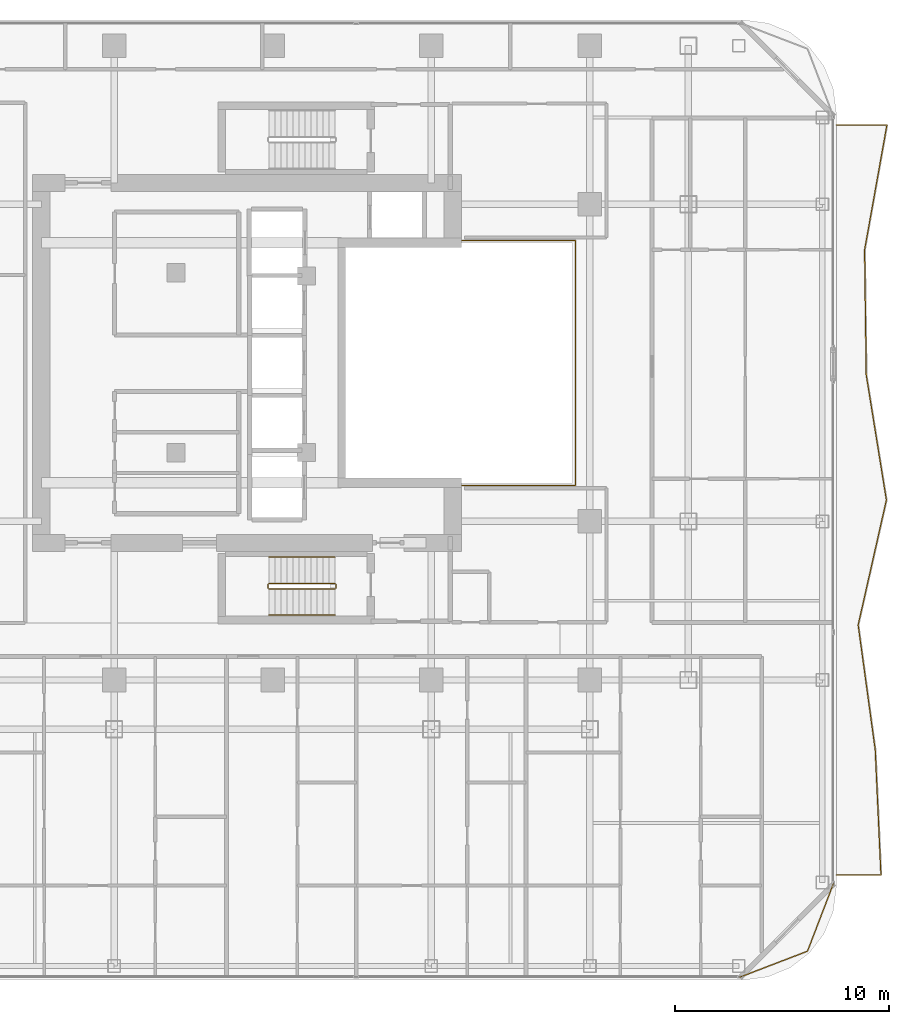
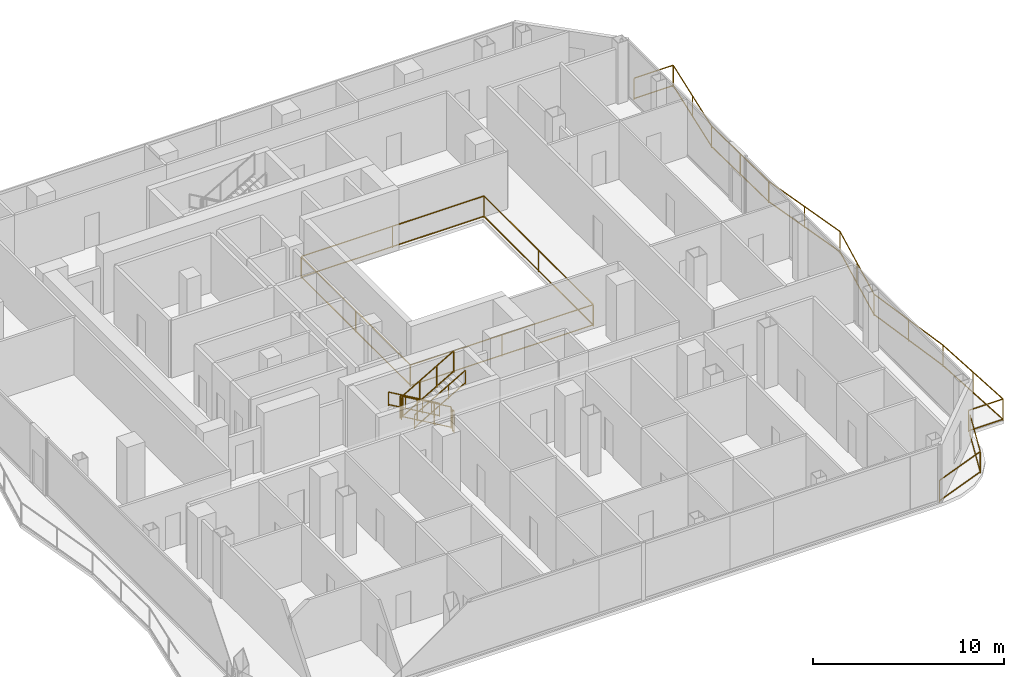
# One storey, part 25 of 26: 9 railings.
"""IFC4 building model written with IfcOpenShell, lengths in metres."""

from ifc_helpers import new_model, si_unit, direction, frame, origin, origin_2d, place, context, subcontext, project, spatial, rectangle, extrude, material, type_object, element, save


model = new_model("IFC4")

# Units and contexts
model_context = context("Model", 3, precision=1e-05, world=origin(), true_north=direction((0.0, 1.0)))
body_context = subcontext(model_context, "Body", "Model", "MODEL_VIEW")
ifc_project = project(units=[si_unit("LENGTHUNIT", "METRE"), si_unit("AREAUNIT", "SQUARE_METRE"), si_unit("VOLUMEUNIT", "CUBIC_METRE"), si_unit("PLANEANGLEUNIT", "RADIAN"), si_unit("MASSUNIT", "GRAM", prefix="KILO")], contexts=[model_context])

# Site, building, storey
site_placement = place(None, origin())
site = spatial("IfcSite", under=ifc_project, at=site_placement, CompositionType="ELEMENT")
building_placement = place(site_placement, origin())
building = spatial("IfcBuilding", under=site, at=building_placement, Name="Khorvyn Point Tower", CompositionType="ELEMENT")
storey_placement = place(building_placement, frame((0.0, 0.0, 223.5)))
storey = spatial("IfcBuildingStorey", under=building, at=storey_placement, Name="L55", CompositionType="ELEMENT", Elevation=223.5)

# Railings
ifc_material_1 = material(Name="Stainless steel 1.4401 and laminated glass", Category="steel")
railing_type_1 = type_object("IfcRailingType", Name="Crystal Atrium Smoke-Rated Perimeter Guardrail 1400", PredefinedType="GUARDRAIL", material=ifc_material_1)
railing_1_placement = place(storey_placement, frame((3.080078125, -5.719970703125, 0.0)))
element("IfcRailing", 1, at=railing_1_placement, inside=storey, type_object=railing_type_1, Name="L55 Crystal Atrium Perimeter Guardrail", PredefinedType="GUARDRAIL", context=body_context, shape_type="SweptSolid", body=[
    extrude(rectangle(XDim=0.048095703125, YDim=0.048095703125, at=origin_2d()), frame((0.0, 0.0, 1.3759765625), z_axis=(1.0, 0.0, 0.0), x_axis=(0.0, 1.0, 0.0)), (0.0, 0.0, 1.0), 11.0400390625),
    extrude(rectangle(XDim=0.048095703125, YDim=0.048095703125, at=origin_2d()), frame((0.0, 0.0, 0.080078125), z_axis=(1.0, 0.0, 0.0), x_axis=(0.0, 1.0, 0.0)), (0.0, 0.0, 1.0), 11.0400390625),
    extrude(rectangle(XDim=0.048095703125, YDim=0.048095703125, at=origin_2d()), frame((11.0400390625, 0.0, 1.3759765625), z_axis=(0.0, 1.0, 0.0), x_axis=(-1.0, 0.0, 0.0)), (0.0, 0.0, 1.0), 11.43994140625),
    extrude(rectangle(XDim=0.048095703125, YDim=0.048095703125, at=origin_2d()), frame((11.0400390625, 0.0, 0.080078125), z_axis=(0.0, 1.0, 0.0), x_axis=(-1.0, 0.0, 0.0)), (0.0, 0.0, 1.0), 11.43994140625),
    extrude(rectangle(XDim=0.048095703125, YDim=0.048095703125, at=origin_2d()), frame((11.0400390625, 11.43994140625, 1.3759765625), z_axis=(-1.0, 0.0, 0.0), x_axis=(0.0, -1.0, 0.0)), (0.0, 0.0, 1.0), 11.0400390625),
    extrude(rectangle(XDim=0.048095703125, YDim=0.048095703125, at=origin_2d()), frame((11.0400390625, 11.43994140625, 0.080078125), z_axis=(-1.0, 0.0, 0.0), x_axis=(0.0, -1.0, 0.0)), (0.0, 0.0, 1.0), 11.0400390625),
    extrude(rectangle(XDim=0.048095703125, YDim=0.048095703125, at=origin_2d()), frame((0.0, 11.43994140625, 1.3759765625), z_axis=(0.0, -1.0, 0.0), x_axis=(1.0, 0.0, 0.0)), (0.0, 0.0, 1.0), 11.409912109375),
    extrude(rectangle(XDim=0.048095703125, YDim=0.048095703125, at=origin_2d()), frame((0.0, 11.43994140625, 0.080078125), z_axis=(0.0, -1.0, 0.0), x_axis=(1.0, 0.0, 0.0)), (0.0, 0.0, 1.0), 11.409912109375),
    extrude(rectangle(XDim=0.0419921875, YDim=0.0419921875, at=origin_2d()), origin(), (0.0, 0.0, 1.0), 1.351806640625),
    extrude(rectangle(XDim=0.0419921875, YDim=0.0419921875, at=origin_2d()), frame((5.52001953125, 0.0, 0.0)), (0.0, 0.0, 1.0), 1.351806640625),
    extrude(rectangle(XDim=0.0419921875, YDim=0.0419921875, at=origin_2d()), frame((11.0400390625, 0.0, 0.0)), (0.0, 0.0, 1.0), 1.351806640625),
    extrude(rectangle(XDim=0.0419921875, YDim=0.0419921875, at=origin_2d()), frame((11.0400390625, 5.719970703125, 0.0)), (0.0, 0.0, 1.0), 1.351806640625),
    extrude(rectangle(XDim=0.0419921875, YDim=0.0419921875, at=origin_2d()), frame((11.0400390625, 11.43994140625, 0.0)), (0.0, 0.0, 1.0), 1.351806640625),
    extrude(rectangle(XDim=0.0419921875, YDim=0.0419921875, at=origin_2d()), frame((5.52001953125, 11.43994140625, 0.0)), (0.0, 0.0, 1.0), 1.351806640625),
    extrude(rectangle(XDim=0.0419921875, YDim=0.0419921875, at=origin_2d()), frame((0.0, 11.43994140625, 0.0)), (0.0, 0.0, 1.0), 1.351806640625),
    extrude(rectangle(XDim=0.0419921875, YDim=0.0419921875, at=origin_2d()), frame((0.0, 5.73486328125, 0.0)), (0.0, 0.0, 1.0), 1.351806640625),
    extrude(rectangle(XDim=0.0419921875, YDim=0.0419921875, at=origin_2d()), frame((0.0, 0.030029296875, 0.0)), (0.0, 0.0, 1.0), 1.351806640625),
])
ifc_material_2 = material(Name="Anodised aluminium 6063-T6 and laminated safety glass", Category="aluminium")
railing_type_2 = type_object("IfcRailingType", Name="Laminated Glass and Aluminium Balcony Guardrail 1400", PredefinedType="BALUSTRADE", material=ifc_material_2)
railing_2_placement = place(storey_placement, frame((21.78125, -28.67431640625, 0.0)))
element("IfcRailing", 2, at=railing_2_placement, inside=storey, type_object=railing_type_2, Name="L55 Rounded Corner Edge Guardrail SE", PredefinedType="BALUSTRADE", context=body_context, shape_type="SweptSolid", body=[
    extrude(rectangle(XDim=0.048095703125, YDim=0.048095703125, at=origin_2d()), frame((0.0, 0.0, 1.3759765625), z_axis=(0.933589651443, 0.358343916815, 0.0), x_axis=(-0.358343916815, 0.933589651443, 0.0)), (0.0, 0.0, 1.0), 3.400390625),
    extrude(rectangle(XDim=0.048095703125, YDim=0.048095703125, at=origin_2d()), frame((0.0, 0.0, 0.080078125), z_axis=(0.933589651443, 0.358343916815, 0.0), x_axis=(-0.358343916815, 0.933589651443, 0.0)), (0.0, 0.0, 1.0), 3.400390625),
    extrude(rectangle(XDim=0.048095703125, YDim=0.048095703125, at=origin_2d()), frame((3.174560546875, 1.218505859375, 1.3759765625), z_axis=(0.358343916815, 0.933589651443, 0.0), x_axis=(-0.933589651443, 0.358343916815, 0.0)), (0.0, 0.0, 1.0), 3.400390625),
    extrude(rectangle(XDim=0.048095703125, YDim=0.048095703125, at=origin_2d()), frame((3.174560546875, 1.218505859375, 0.080078125), z_axis=(0.358343916815, 0.933589651443, 0.0), x_axis=(-0.933589651443, 0.358343916815, 0.0)), (0.0, 0.0, 1.0), 3.400390625),
    extrude(rectangle(XDim=0.0419921875, YDim=0.0419921875, at=origin_2d()), origin(), (0.0, 0.0, 1.0), 1.351806640625),
    extrude(rectangle(XDim=0.0419921875, YDim=0.0419921875, at=origin_2d()), frame((3.174560546875, 1.218505859375, 0.0)), (0.0, 0.0, 1.0), 1.351806640625),
    extrude(rectangle(XDim=0.0419921875, YDim=0.0419921875, at=origin_2d()), frame((4.39306640625, 4.39306640625, 0.0)), (0.0, 0.0, 1.0), 1.351806640625),
])
railing_3_placement = place(storey_placement, frame((26.300048828125, -23.89990234375, 0.0)))
element("IfcRailing", 3, at=railing_3_placement, inside=storey, type_object=railing_type_2, Name="L55 East Balcony Guardrail", PredefinedType="BALUSTRADE", context=body_context, shape_type="SweptSolid", body=[
    extrude(rectangle(XDim=0.048095703125, YDim=0.048095703125, at=origin_2d()), frame((0.0, 0.0, 1.3759765625), z_axis=(1.0, 0.0, 0.0), x_axis=(0.0, 1.0, 0.0)), (0.0, 0.0, 1.0), 2.08349609375),
    extrude(rectangle(XDim=0.048095703125, YDim=0.048095703125, at=origin_2d()), frame((0.0, 0.0, 0.080078125), z_axis=(1.0, 0.0, 0.0), x_axis=(0.0, 1.0, 0.0)), (0.0, 0.0, 1.0), 2.08349609375),
    extrude(rectangle(XDim=0.048095703125, YDim=0.048095703125, at=origin_2d()), frame((2.08349609375, 0.0, 1.3759765625), z_axis=(-0.045572658063, 0.998961026686, 0.0), x_axis=(-0.998961026686, -0.045572658063, 0.0)), (0.0, 0.0, 1.0), 5.83935546875),
    extrude(rectangle(XDim=0.048095703125, YDim=0.048095703125, at=origin_2d()), frame((2.08349609375, 0.0, 0.080078125), z_axis=(-0.045572658063, 0.998961026686, 0.0), x_axis=(-0.998961026686, -0.045572658063, 0.0)), (0.0, 0.0, 1.0), 5.83935546875),
    extrude(rectangle(XDim=0.048095703125, YDim=0.048095703125, at=origin_2d()), frame((1.8173828125, 5.833251953125, 1.3759765625), z_axis=(-0.13539262389, 0.990792025299, 0.0), x_axis=(-0.990792025299, -0.13539262389, 0.0)), (0.0, 0.0, 1.0), 5.887451171875),
    extrude(rectangle(XDim=0.048095703125, YDim=0.048095703125, at=origin_2d()), frame((1.8173828125, 5.833251953125, 0.080078125), z_axis=(-0.13539262389, 0.990792025299, 0.0), x_axis=(-0.990792025299, -0.13539262389, 0.0)), (0.0, 0.0, 1.0), 5.887451171875),
    extrude(rectangle(XDim=0.048095703125, YDim=0.048095703125, at=origin_2d()), frame((1.020263671875, 11.66650390625, 1.3759765625), z_axis=(0.220283425331, 0.975435908978, 0.0), x_axis=(-0.975435908978, 0.220283425331, 0.0)), (0.0, 0.0, 1.0), 5.98046875),
    extrude(rectangle(XDim=0.048095703125, YDim=0.048095703125, at=origin_2d()), frame((1.020263671875, 11.66650390625, 0.080078125), z_axis=(0.220283425331, 0.975435908978, 0.0), x_axis=(-0.975435908978, 0.220283425331, 0.0)), (0.0, 0.0, 1.0), 5.98046875),
    extrude(rectangle(XDim=0.048095703125, YDim=0.048095703125, at=origin_2d()), frame((2.337646484375, 17.5, 1.3759765625), z_axis=(-0.159083038663, 0.987265205915, 0.0), x_axis=(-0.987265205915, -0.159083038663, 0.0)), (0.0, 0.0, 1.0), 5.908447265625),
    extrude(rectangle(XDim=0.048095703125, YDim=0.048095703125, at=origin_2d()), frame((2.337646484375, 17.5, 0.080078125), z_axis=(-0.159083038663, 0.987265205915, 0.0), x_axis=(-0.987265205915, -0.159083038663, 0.0)), (0.0, 0.0, 1.0), 5.908447265625),
    extrude(rectangle(XDim=0.048095703125, YDim=0.048095703125, at=origin_2d()), frame((1.397705078125, 23.333251953125, 1.3759765625), z_axis=(-0.013350000931, 0.999910884767, 0.0), x_axis=(-0.999910884767, -0.013350000931, 0.0)), (0.0, 0.0, 1.0), 5.833740234375),
    extrude(rectangle(XDim=0.048095703125, YDim=0.048095703125, at=origin_2d()), frame((1.397705078125, 23.333251953125, 0.080078125), z_axis=(-0.013350000931, 0.999910884767, 0.0), x_axis=(-0.999910884767, -0.013350000931, 0.0)), (0.0, 0.0, 1.0), 5.833740234375),
    extrude(rectangle(XDim=0.048095703125, YDim=0.048095703125, at=origin_2d()), frame((1.31982421875, 29.16650390625, 1.3759765625), z_axis=(0.175958892926, 0.984397515235, 0.0), x_axis=(-0.984397515235, 0.175958892926, 0.0)), (0.0, 0.0, 1.0), 5.926025390625),
    extrude(rectangle(XDim=0.048095703125, YDim=0.048095703125, at=origin_2d()), frame((1.31982421875, 29.16650390625, 0.080078125), z_axis=(0.175958892926, 0.984397515235, 0.0), x_axis=(-0.984397515235, 0.175958892926, 0.0)), (0.0, 0.0, 1.0), 5.926025390625),
    extrude(rectangle(XDim=0.048095703125, YDim=0.048095703125, at=origin_2d()), frame((2.362548828125, 35.0, 1.3759765625), z_axis=(-1.0, 0.0, 0.0), x_axis=(0.0, -1.0, 0.0)), (0.0, 0.0, 1.0), 2.362548828125),
    extrude(rectangle(XDim=0.048095703125, YDim=0.048095703125, at=origin_2d()), frame((2.362548828125, 35.0, 0.080078125), z_axis=(-1.0, 0.0, 0.0), x_axis=(0.0, -1.0, 0.0)), (0.0, 0.0, 1.0), 2.362548828125),
    extrude(rectangle(XDim=0.0419921875, YDim=0.0419921875, at=origin_2d()), origin(), (0.0, 0.0, 1.0), 1.351806640625),
    extrude(rectangle(XDim=0.0419921875, YDim=0.0419921875, at=origin_2d()), frame((2.08349609375, 0.0, 0.0)), (0.0, 0.0, 1.0), 1.351806640625),
    extrude(rectangle(XDim=0.0419921875, YDim=0.0419921875, at=origin_2d()), frame((1.950439453125, 2.91650390625, 0.0)), (0.0, 0.0, 1.0), 1.351806640625),
    extrude(rectangle(XDim=0.0419921875, YDim=0.0419921875, at=origin_2d()), frame((1.8173828125, 5.833251953125, 0.0)), (0.0, 0.0, 1.0), 1.351806640625),
    extrude(rectangle(XDim=0.0419921875, YDim=0.0419921875, at=origin_2d()), frame((1.4189453125, 8.75, 0.0)), (0.0, 0.0, 1.0), 1.351806640625),
    extrude(rectangle(XDim=0.0419921875, YDim=0.0419921875, at=origin_2d()), frame((1.020263671875, 11.66650390625, 0.0)), (0.0, 0.0, 1.0), 1.351806640625),
    extrude(rectangle(XDim=0.0419921875, YDim=0.0419921875, at=origin_2d()), frame((1.678955078125, 14.583251953125, 0.0)), (0.0, 0.0, 1.0), 1.351806640625),
    extrude(rectangle(XDim=0.0419921875, YDim=0.0419921875, at=origin_2d()), frame((2.337646484375, 17.5, 0.0)), (0.0, 0.0, 1.0), 1.351806640625),
    extrude(rectangle(XDim=0.0419921875, YDim=0.0419921875, at=origin_2d()), frame((1.86767578125, 20.41650390625, 0.0)), (0.0, 0.0, 1.0), 1.351806640625),
    extrude(rectangle(XDim=0.0419921875, YDim=0.0419921875, at=origin_2d()), frame((1.397705078125, 23.333251953125, 0.0)), (0.0, 0.0, 1.0), 1.351806640625),
    extrude(rectangle(XDim=0.0419921875, YDim=0.0419921875, at=origin_2d()), frame((1.35888671875, 26.25, 0.0)), (0.0, 0.0, 1.0), 1.351806640625),
    extrude(rectangle(XDim=0.0419921875, YDim=0.0419921875, at=origin_2d()), frame((1.31982421875, 29.16650390625, 0.0)), (0.0, 0.0, 1.0), 1.351806640625),
    extrude(rectangle(XDim=0.0419921875, YDim=0.0419921875, at=origin_2d()), frame((1.84130859375, 32.083251953125, 0.0)), (0.0, 0.0, 1.0), 1.351806640625),
    extrude(rectangle(XDim=0.0419921875, YDim=0.0419921875, at=origin_2d()), frame((2.362548828125, 35.0, 0.0)), (0.0, 0.0, 1.0), 1.351806640625),
    extrude(rectangle(XDim=0.0419921875, YDim=0.0419921875, at=origin_2d()), frame((0.0, 35.0, 0.0)), (0.0, 0.0, 1.0), 1.351806640625),
])
ifc_material_3 = material(Name="Stainless steel 1.4301", Category="steel")
railing_type_3 = type_object("IfcRailingType", Name="Stainless Steel 304 Stair Pitch Handrail 900", PredefinedType="HANDRAIL", material=ifc_material_3)
railing_4_placement = place(storey_placement, frame((2.89990234375, -9.070068359375, 0.16259765625)))
element("IfcRailing", 4, at=railing_4_placement, inside=storey, type_object=railing_type_3, Name="L55 ST-01 stair handrail 1", PredefinedType="HANDRAIL", context=body_context, shape_type="SweptSolid", body=[
    extrude(rectangle(XDim=0.048095703125, YDim=0.048095703125, at=origin_2d()), frame((0.0, 0.0, 0.8759765625), z_axis=(-0.864903211148, 0.0, 0.501938676878), x_axis=(0.0, -1.0, 0.0)), (0.0, 0.0, 1.0), 3.560791015625),
    extrude(rectangle(XDim=0.048095703125, YDim=0.048095703125, at=origin_2d()), frame((0.0, 0.0, 0.080078125), z_axis=(-0.864903211148, 0.0, 0.501938676878), x_axis=(0.0, -1.0, 0.0)), (0.0, 0.0, 1.0), 3.560791015625),
    extrude(rectangle(XDim=0.0419921875, YDim=0.0419921875, at=origin_2d()), origin(), (0.0, 0.0, 1.0), 0.851806640625),
    extrude(rectangle(XDim=0.0419921875, YDim=0.0419921875, at=origin_2d()), frame((-1.026611328125, 0.0, 0.595703125)), (0.0, 0.0, 1.0), 0.851806640625),
    extrude(rectangle(XDim=0.0419921875, YDim=0.0419921875, at=origin_2d()), frame((-2.05322265625, 0.0, 1.191650390625)), (0.0, 0.0, 1.0), 0.851806640625),
    extrude(rectangle(XDim=0.0419921875, YDim=0.0419921875, at=origin_2d()), frame((-3.079833984375, 0.0, 1.787353515625)), (0.0, 0.0, 1.0), 0.851806640625),
])
railing_5_placement = place(storey_placement, frame((-0.179931640625, -11.77001953125, 2.112548828125)))
element("IfcRailing", 5, at=railing_5_placement, inside=storey, type_object=railing_type_3, Name="L55 ST-01 stair handrail 2", PredefinedType="HANDRAIL", context=body_context, shape_type="SweptSolid", body=[
    extrude(rectangle(XDim=0.048095703125, YDim=0.048095703125, at=origin_2d()), frame((0.0, 0.0, 0.8759765625), z_axis=(0.864903211148, 0.0, 0.501938676878), x_axis=(0.0, 1.0, 0.0)), (0.0, 0.0, 1.0), 3.560791015625),
    extrude(rectangle(XDim=0.048095703125, YDim=0.048095703125, at=origin_2d()), frame((0.0, 0.0, 0.080078125), z_axis=(0.864903211148, 0.0, 0.501938676878), x_axis=(0.0, 1.0, 0.0)), (0.0, 0.0, 1.0), 3.560791015625),
    extrude(rectangle(XDim=0.0419921875, YDim=0.0419921875, at=origin_2d()), origin(), (0.0, 0.0, 1.0), 0.851806640625),
    extrude(rectangle(XDim=0.0419921875, YDim=0.0419921875, at=origin_2d()), frame((1.026611328125, 0.0, 0.595703125)), (0.0, 0.0, 1.0), 0.851806640625),
    extrude(rectangle(XDim=0.0419921875, YDim=0.0419921875, at=origin_2d()), frame((2.05322265625, 0.0, 1.191650390625)), (0.0, 0.0, 1.0), 0.851806640625),
    extrude(rectangle(XDim=0.0419921875, YDim=0.0419921875, at=origin_2d()), frame((3.079833984375, 0.0, 1.787353515625)), (0.0, 0.0, 1.0), 0.851806640625),
])
railing_type_4 = type_object("IfcRailingType", Name="Stainless Steel 304 Stair Well Guardrail 1400", PredefinedType="GUARDRAIL", material=ifc_material_3)
railing_6_placement = place(storey_placement, frame((2.89990234375, -10.2900390625, 0.16259765625)))
element("IfcRailing", 6, at=railing_6_placement, inside=storey, type_object=railing_type_4, Name="L55 ST-01 stair guard 1", PredefinedType="GUARDRAIL", context=body_context, shape_type="SweptSolid", body=[
    extrude(rectangle(XDim=0.048095703125, YDim=0.048095703125, at=origin_2d()), frame((0.0, 0.0, 1.3759765625), z_axis=(-0.864903211148, 0.0, 0.501938676878), x_axis=(0.0, -1.0, 0.0)), (0.0, 0.0, 1.0), 3.560791015625),
    extrude(rectangle(XDim=0.048095703125, YDim=0.048095703125, at=origin_2d()), frame((0.0, 0.0, 0.080078125), z_axis=(-0.864903211148, 0.0, 0.501938676878), x_axis=(0.0, -1.0, 0.0)), (0.0, 0.0, 1.0), 3.560791015625),
    extrude(rectangle(XDim=0.0419921875, YDim=0.0419921875, at=origin_2d()), origin(), (0.0, 0.0, 1.0), 1.351806640625),
    extrude(rectangle(XDim=0.0419921875, YDim=0.0419921875, at=origin_2d()), frame((-1.026611328125, 0.0, 0.595703125)), (0.0, 0.0, 1.0), 1.351806640625),
    extrude(rectangle(XDim=0.0419921875, YDim=0.0419921875, at=origin_2d()), frame((-2.05322265625, 0.0, 1.191650390625)), (0.0, 0.0, 1.0), 1.351806640625),
    extrude(rectangle(XDim=0.0419921875, YDim=0.0419921875, at=origin_2d()), frame((-3.079833984375, 0.0, 1.787353515625)), (0.0, 0.0, 1.0), 1.351806640625),
])
railing_7_placement = place(storey_placement, frame((-0.22998046875, -10.340087890625, 1.949951171875)))
element("IfcRailing", 7, at=railing_7_placement, inside=storey, type_object=railing_type_4, Name="L55 ST-01 stair guard 2", PredefinedType="GUARDRAIL", context=body_context, shape_type="SweptSolid", body=[
    extrude(rectangle(XDim=0.048095703125, YDim=0.048095703125, at=origin_2d()), frame((0.0, 0.0, 1.3759765625), z_axis=(0.0, -1.0, 0.0), x_axis=(1.0, 0.0, 0.0)), (0.0, 0.0, 1.0), 0.159912109375),
    extrude(rectangle(XDim=0.048095703125, YDim=0.048095703125, at=origin_2d()), frame((0.0, 0.0, 0.080078125), z_axis=(0.0, -1.0, 0.0), x_axis=(1.0, 0.0, 0.0)), (0.0, 0.0, 1.0), 0.159912109375),
    extrude(rectangle(XDim=0.0419921875, YDim=0.0419921875, at=origin_2d()), origin(), (0.0, 0.0, 1.0), 1.351806640625),
    extrude(rectangle(XDim=0.0419921875, YDim=0.0419921875, at=origin_2d()), frame((0.0, -0.159912109375, 0.0)), (0.0, 0.0, 1.0), 1.351806640625),
])
railing_8_placement = place(storey_placement, frame((-0.179931640625, -10.550048828125, 2.112548828125)))
element("IfcRailing", 8, at=railing_8_placement, inside=storey, type_object=railing_type_4, Name="L55 ST-01 stair guard 3", PredefinedType="GUARDRAIL", context=body_context, shape_type="SweptSolid", body=[
    extrude(rectangle(XDim=0.048095703125, YDim=0.048095703125, at=origin_2d()), frame((0.0, 0.0, 1.3759765625), z_axis=(0.864903211148, 0.0, 0.501938676878), x_axis=(0.0, 1.0, 0.0)), (0.0, 0.0, 1.0), 3.560791015625),
    extrude(rectangle(XDim=0.048095703125, YDim=0.048095703125, at=origin_2d()), frame((0.0, 0.0, 0.080078125), z_axis=(0.864903211148, 0.0, 0.501938676878), x_axis=(0.0, 1.0, 0.0)), (0.0, 0.0, 1.0), 3.560791015625),
    extrude(rectangle(XDim=0.0419921875, YDim=0.0419921875, at=origin_2d()), origin(), (0.0, 0.0, 1.0), 1.351806640625),
    extrude(rectangle(XDim=0.0419921875, YDim=0.0419921875, at=origin_2d()), frame((1.026611328125, 0.0, 0.595703125)), (0.0, 0.0, 1.0), 1.351806640625),
    extrude(rectangle(XDim=0.0419921875, YDim=0.0419921875, at=origin_2d()), frame((2.05322265625, 0.0, 1.191650390625)), (0.0, 0.0, 1.0), 1.351806640625),
    extrude(rectangle(XDim=0.0419921875, YDim=0.0419921875, at=origin_2d()), frame((3.079833984375, 0.0, 1.787353515625)), (0.0, 0.0, 1.0), 1.351806640625),
])
railing_9_placement = place(storey_placement, frame((2.949951171875, -10.340087890625, 0.0)))
element("IfcRailing", 9, at=railing_9_placement, inside=storey, type_object=railing_type_4, Name="L55 ST-01 stair guard 4", PredefinedType="GUARDRAIL", context=body_context, shape_type="SweptSolid", body=[
    extrude(rectangle(XDim=0.048095703125, YDim=0.048095703125, at=origin_2d()), frame((0.0, 0.0, 1.3759765625), z_axis=(0.0, -1.0, 0.0), x_axis=(1.0, 0.0, 0.0)), (0.0, 0.0, 1.0), 0.159912109375),
    extrude(rectangle(XDim=0.048095703125, YDim=0.048095703125, at=origin_2d()), frame((0.0, 0.0, 0.080078125), z_axis=(0.0, -1.0, 0.0), x_axis=(1.0, 0.0, 0.0)), (0.0, 0.0, 1.0), 0.159912109375),
    extrude(rectangle(XDim=0.0419921875, YDim=0.0419921875, at=origin_2d()), origin(), (0.0, 0.0, 1.0), 1.351806640625),
    extrude(rectangle(XDim=0.0419921875, YDim=0.0419921875, at=origin_2d()), frame((0.0, -0.159912109375, 0.0)), (0.0, 0.0, 1.0), 1.351806640625),
])

save(model, "model.ifc")
